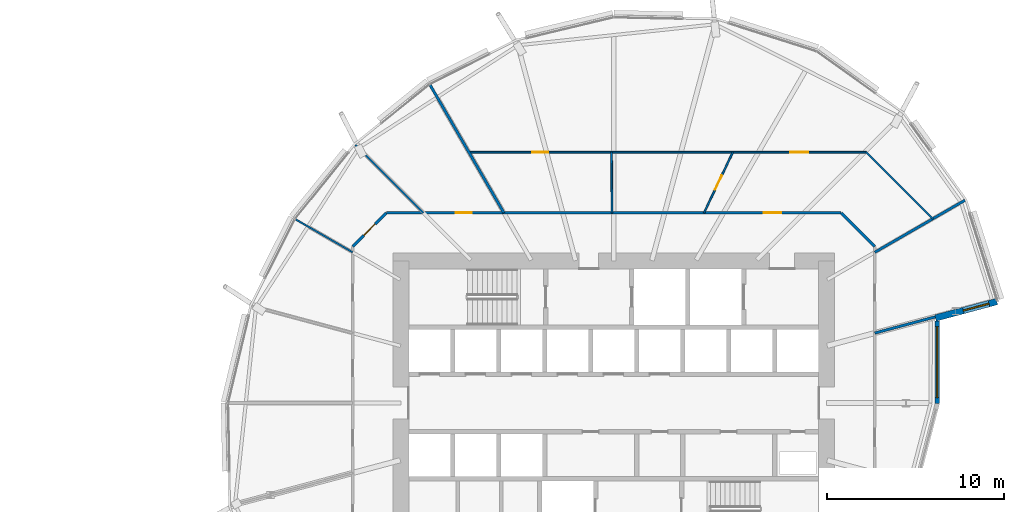
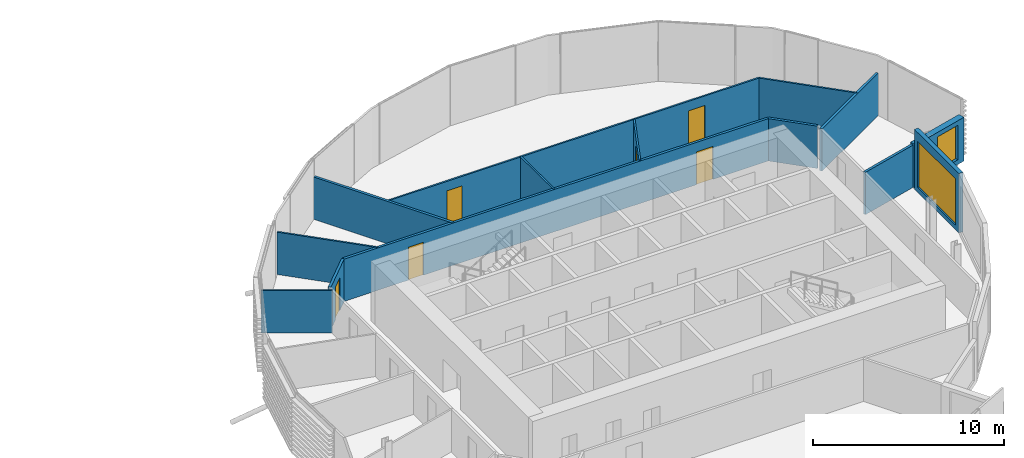
# One storey, part 26 of 38: 14 walls, 6 doors, 2 windows, 8 openings.
"""IFC4 building model written with IfcOpenShell, lengths in metres."""

from ifc_helpers import new_model, si_unit, direction, frame, frame_2d, origin, place, context, subcontext, project, spatial, rectangle, extrude, material, layer, layer_set, type_object, element, fill, save


model = new_model("IFC4")

# Units and contexts
model_context = context("Model", 3, precision=1e-05, world=origin(), true_north=direction((0.0, 1.0)))
body_context = subcontext(model_context, "Body", "Model", "MODEL_VIEW")
ifc_project = project(units=[si_unit("LENGTHUNIT", "METRE"), si_unit("AREAUNIT", "SQUARE_METRE"), si_unit("VOLUMEUNIT", "CUBIC_METRE"), si_unit("PLANEANGLEUNIT", "RADIAN"), si_unit("MASSUNIT", "GRAM", prefix="KILO")], contexts=[model_context])

# Site, building, storey
site_placement = place(None, origin())
site = spatial("IfcSite", under=ifc_project, at=site_placement, CompositionType="ELEMENT")
building_placement = place(site_placement, origin())
building = spatial("IfcBuilding", under=site, at=building_placement, Name="Rimbun Link Towers", CompositionType="ELEMENT")
storey_placement = place(building_placement, frame((0.0, 0.0, 56.60009765625)))
storey = spatial("IfcBuildingStorey", under=building, at=storey_placement, Name="L13", CompositionType="ELEMENT", Elevation=56.60009765625)

# Wall, opening, window
ifc_material_1 = material(Name="Dark enamelled glass spandrel on insulated aluminium backpan", Category="aluminium")
ifc_layer_1 = layer(ifc_material_1, 0.25)
ifc_layer_set_1 = layer_set([ifc_layer_1], Name="CS dark enamelled spandrel wall 250")
wall_type_1 = type_object("IfcWallType", Name="CS dark enamelled spandrel wall 250", PredefinedType="STANDARD", material=ifc_layer_set_1)
wall_1_placement = place(storey_placement, frame((50.005859375, 4.6328125, 0.0), z_axis=(0.0, 0.0, 1.0), x_axis=(-0.000105030984, -0.999999994484, 0.0)))
wall_1 = element("IfcWall", 1, at=wall_1_placement, inside=storey, type_object=wall_type_1, Name="Crease spandrel wall", PredefinedType="STANDARD", context=body_context, shape_type="SweptSolid", body=[
    extrude(rectangle(XDim=4.64892578125, YDim=0.25, at=frame_2d((2.324462890625, 0.0))), origin(), (0.0, 0.0, 1.0), 3.7998046875),
])
opening_1_placement = place(wall_1_placement, frame((0.324462890625, 0.0, 0.300048828125)))
opening_1 = element("IfcOpeningElement", 2, at=opening_1_placement, cuts=wall_1, Name="Opening WR40H295", PredefinedType="OPENING", context=body_context, shape_type="SweptSolid", body=[
    extrude(rectangle(XDim=4.0, YDim=2.949951171875, at=frame_2d((2.0, 1.47509765625))), frame((0.0, 0.135009765625, 0.0), z_axis=(0.0, -1.0, 0.0), x_axis=(1.0, 0.0, 0.0)), (0.0, 0.0, 1.0), 0.27001953125),
])
ifc_material_2 = material(Name="Aluminium framed fixed window, dark tinted low-e glass", Category="aluminium")
window_type_1 = type_object("IfcWindowType", Name="WR ribbon window 4000X2950", PartitioningType="SINGLE_PANEL", PredefinedType="WINDOW", material=ifc_material_2)
window_1_placement = place(opening_1_placement, origin())
window_1 = element("IfcWindow", 3, at=window_1_placement, inside=storey, type_object=window_type_1, Name="Crease ribbon window", OverallHeight=2.949951171875, OverallWidth=4.0, PartitioningType="SINGLE_PANEL", PredefinedType="WINDOW", context=body_context, shape_type="SweptSolid", body=[
    extrude(rectangle(XDim=4.0, YDim=2.949951171875, at=frame_2d((2.0, 1.47509765625))), frame((0.0, 0.030029296875, 0.0), z_axis=(0.0, -1.0, 0.0), x_axis=(1.0, 0.0, 0.0)), (0.0, 0.0, 1.0), 0.06005859375),
])
fill(opening_1, window_1)

ifc_material_3 = material(Name="Dark enamelled glass spandrel on insulated aluminium backpan", Category="aluminium")
ifc_layer_2 = layer(ifc_material_3, 0.3701171875)
ifc_layer_set_2 = layer_set([ifc_layer_2], Name="CS dark enamelled spandrel wall 370")
wall_type_2 = type_object("IfcWallType", Name="CS dark enamelled spandrel wall 370", PredefinedType="STANDARD", material=ifc_layer_set_2)
wall_2_placement = place(storey_placement, frame((53.355712890625, 5.721923828125, 0.0), z_axis=(0.0, 0.0, 1.0), x_axis=(-0.965929787715, -0.258804260405, 0.0)))
wall_2 = element("IfcWall", 4, at=wall_2_placement, inside=storey, type_object=wall_type_2, Name="Crease spandrel wall", PredefinedType="STANDARD", context=body_context, shape_type="SweptSolid", body=[
    extrude(rectangle(XDim=3.580078125, YDim=0.3701171875, at=frame_2d((1.7900390625, 0.0))), origin(), (0.0, 0.0, 1.0), 2.789306640625),
])
opening_2_placement = place(wall_2_placement, frame((0.45654296875, 0.0, 0.300048828125)))
opening_2 = element("IfcOpeningElement", 5, at=opening_2_placement, cuts=wall_2, Name="Opening WR15H220", PredefinedType="OPENING", context=body_context, shape_type="SweptSolid", body=[
    extrude(rectangle(XDim=1.5, YDim=2.199951171875, at=frame_2d((0.75, 1.10009765625))), frame((0.0, 0.195068359375, 0.0), z_axis=(0.0, -1.0, 0.0), x_axis=(1.0, 0.0, 0.0)), (0.0, 0.0, 1.0), 0.39013671875),
])
ifc_material_4 = material(Name="Aluminium framed fixed window, dark tinted low-e glass", Category="aluminium")
window_type_2 = type_object("IfcWindowType", Name="WR ribbon window 1500X2200", PartitioningType="SINGLE_PANEL", PredefinedType="WINDOW", material=ifc_material_4)
window_2_placement = place(opening_2_placement, origin())
window_2 = element("IfcWindow", 6, at=window_2_placement, inside=storey, type_object=window_type_2, Name="Crease ribbon window", OverallHeight=2.199951171875, OverallWidth=1.5, PartitioningType="SINGLE_PANEL", PredefinedType="WINDOW", context=body_context, shape_type="SweptSolid", body=[
    extrude(rectangle(XDim=1.5, YDim=2.199951171875, at=frame_2d((0.75, 1.10009765625))), frame((0.0, 0.030029296875, 0.0), z_axis=(0.0, -1.0, 0.0), x_axis=(1.0, 0.0, 0.0)), (0.0, 0.0, 1.0), 0.06005859375),
])
fill(opening_2, window_2)

# Wall
ifc_material_5 = material(Name="Plasterboard on steel stud, mineral wool", Category="steel")
ifc_layer_3 = layer(ifc_material_5, 0.14990234375)
ifc_layer_set_3 = layer_set([ifc_layer_3], Name="Corridor wall EI 30 150 mm")
wall_type_3 = type_object("IfcWallType", Name="Corridor wall EI 30 150 mm", PredefinedType="PARTITIONING", material=ifc_layer_set_3)
wall_3_placement = place(storey_placement, frame((46.47509765625, 8.82666015625, 0.0), z_axis=(0.0, 0.0, 1.0), x_axis=(-0.707106781187, 0.707106781187, 0.0)))
element("IfcWall", 7, at=wall_3_placement, inside=storey, type_object=wall_type_3, Name="Corridor wall EI 30 150 mm", PredefinedType="PARTITIONING", context=body_context, shape_type="SweptSolid", body=[
    extrude(rectangle(XDim=2.684814453125, YDim=0.14990234375, at=frame_2d((1.34228515625, 0.0))), origin(), (0.0, 0.0, 1.0), 2.701904296875),
])

# Wall, opening, door
wall_4_placement = place(storey_placement, frame((17.02490234375, 8.82666015625, 0.0), z_axis=(0.0, 0.0, 1.0), x_axis=(0.707106781187, 0.707106781187, 0.0)))
wall_4 = element("IfcWall", 8, at=wall_4_placement, inside=storey, type_object=wall_type_3, Name="Corridor wall EI 30 150 mm", PredefinedType="PARTITIONING", context=body_context, shape_type="SweptSolid", body=[
    extrude(rectangle(XDim=2.684814453125, YDim=0.14990234375, at=frame_2d((1.34228515625, 0.0))), origin(), (0.0, 0.0, 1.0), 2.701904296875),
])
opening_3_placement = place(wall_4_placement, frame((0.892333984375, 0.0, 0.0)))
opening_3 = element("IfcOpeningElement", 9, at=opening_3_placement, cuts=wall_4, Name="Opening D02", PredefinedType="OPENING", context=body_context, shape_type="SweptSolid", body=[
    extrude(rectangle(XDim=0.89990234375, YDim=2.10009765625, at=frame_2d((0.449951171875, 1.050048828125))), frame((0.0, 0.0849609375, 0.0), z_axis=(0.0, -1.0, 0.0), x_axis=(1.0, 0.0, 0.0)), (0.0, 0.0, 1.0), 0.169921875),
])
ifc_material_6 = material(Name="Fire-resisting timber door leaf", Category="wood")
door_type_1 = type_object("IfcDoorType", Name="Fire door FD30S 900", OperationType="NOTDEFINED", PredefinedType="DOOR", material=ifc_material_6)
door_1_placement = place(opening_3_placement, origin())
door_1 = element("IfcDoor", 10, at=door_1_placement, inside=storey, type_object=door_type_1, Name="Fire door FD30S 900 to Cellular office", OperationType="SINGLE_SWING_RIGHT", OverallHeight=2.10009765625, OverallWidth=0.89990234375, PredefinedType="DOOR", context=body_context, shape_type="SweptSolid", body=[
    extrude(rectangle(XDim=0.89990234375, YDim=2.10009765625, at=frame_2d((0.449951171875, 1.050048828125))), frame((0.0, 0.02490234375, 0.0), z_axis=(0.0, -1.0, 0.0), x_axis=(1.0, 0.0, 0.0)), (0.0, 0.0, 1.0), 0.050048828125),
])
fill(opening_3, door_1)

# Wall, openings, doors
wall_5_placement = place(storey_placement, frame((18.92333984375, 10.72509765625, 0.0), z_axis=(0.0, 0.0, 1.0), x_axis=(1.0, 0.0, 0.0)))
wall_5 = element("IfcWall", 11, at=wall_5_placement, inside=storey, type_object=wall_type_3, Name="Corridor wall EI 30 150 mm", PredefinedType="PARTITIONING", context=body_context, shape_type="SweptSolid", body=[
    extrude(rectangle(XDim=25.6533203125, YDim=0.14990234375, at=frame_2d((12.82666015625, 0.0))), origin(), (0.0, 0.0, 1.0), 2.701904296875),
])
opening_4_placement = place(wall_5_placement, frame((21.28662109375, 0.0, 0.0)))
opening_4 = element("IfcOpeningElement", 12, at=opening_4_placement, cuts=wall_5, Name="Opening D01", PredefinedType="OPENING", context=body_context, shape_type="SweptSolid", body=[
    extrude(rectangle(XDim=1.0, YDim=2.10009765625, at=frame_2d((0.5, 1.050048828125))), frame((0.0, 0.0849609375, 0.0), z_axis=(0.0, -1.0, 0.0), x_axis=(1.0, 0.0, 0.0)), (0.0, 0.0, 1.0), 0.169921875),
])
opening_5_placement = place(wall_5_placement, frame((3.918212890625, 0.0, 0.0)))
opening_5 = element("IfcOpeningElement", 13, at=opening_5_placement, cuts=wall_5, Name="Opening D02", PredefinedType="OPENING", context=body_context, shape_type="SweptSolid", body=[
    extrude(rectangle(XDim=0.89990234375, YDim=2.10009765625, at=frame_2d((0.449951171875, 1.050048828125))), frame((0.0, 0.0849609375, 0.0), z_axis=(0.0, -1.0, 0.0), x_axis=(1.0, 0.0, 0.0)), (0.0, 0.0, 1.0), 0.169921875),
])
ifc_material_7 = material(Name="Fire-resisting timber door leaf", Category="wood")
door_type_2 = type_object("IfcDoorType", Name="Fire door FD30S 1000", OperationType="NOTDEFINED", PredefinedType="DOOR", material=ifc_material_7)
door_2_placement = place(opening_4_placement, origin())
door_2 = element("IfcDoor", 14, at=door_2_placement, inside=storey, type_object=door_type_2, Name="Fire door FD30S 1000 to Reception", OperationType="SINGLE_SWING_RIGHT", OverallHeight=2.10009765625, OverallWidth=1.0, PredefinedType="DOOR", context=body_context, shape_type="SweptSolid", body=[
    extrude(rectangle(XDim=1.0, YDim=2.10009765625, at=frame_2d((0.5, 1.050048828125))), frame((0.0, 0.02490234375, 0.0), z_axis=(0.0, -1.0, 0.0), x_axis=(1.0, 0.0, 0.0)), (0.0, 0.0, 1.0), 0.050048828125),
])
fill(opening_4, door_2)
door_3_placement = place(opening_5_placement, origin())
door_3 = element("IfcDoor", 15, at=door_3_placement, inside=storey, type_object=door_type_1, Name="Fire door FD30S 900 to Cellular office", OperationType="SINGLE_SWING_LEFT", OverallHeight=2.10009765625, OverallWidth=0.89990234375, PredefinedType="DOOR", context=body_context, shape_type="SweptSolid", body=[
    extrude(rectangle(XDim=0.89990234375, YDim=2.10009765625, at=frame_2d((0.449951171875, 1.050048828125))), frame((0.0, 0.02490234375, 0.0), z_axis=(0.0, -1.0, 0.0), x_axis=(1.0, 0.0, 0.0)), (0.0, 0.0, 1.0), 0.050048828125),
])
fill(opening_5, door_3)

# Wall, opening, door
ifc_material_8 = material(Name="Plasterboard on steel stud", Category="steel")
ifc_layer_4 = layer(ifc_material_8, 0.10009765625)
ifc_layer_set_4 = layer_set([ifc_layer_4], Name="Plasterboard partition 100 mm")
wall_type_4 = type_object("IfcWallType", Name="Plasterboard partition 100 mm", PredefinedType="PARTITIONING", material=ifc_layer_set_4)
wall_6_placement = place(storey_placement, frame((36.843017578125, 10.72509765625, 0.0), z_axis=(0.0, 0.0, 1.0), x_axis=(0.429014723315, 0.903297496498, 0.0)))
wall_6 = element("IfcWall", 16, at=wall_6_placement, inside=storey, type_object=wall_type_4, Name="Plasterboard partition 100 mm", PredefinedType="PARTITIONING", context=body_context, shape_type="SweptSolid", body=[
    extrude(rectangle(XDim=3.7861328125, YDim=0.10009765625, at=frame_2d((1.89306640625, 0.0))), origin(), (0.0, 0.0, 1.0), 2.701904296875),
])
opening_6_placement = place(wall_6_placement, frame((1.443115234375, 0.0, 0.0)))
opening_6 = element("IfcOpeningElement", 17, at=opening_6_placement, cuts=wall_6, Name="Opening D04", PredefinedType="OPENING", context=body_context, shape_type="SweptSolid", body=[
    extrude(rectangle(XDim=0.89990234375, YDim=2.10009765625, at=frame_2d((0.449951171875, 1.050048828125))), frame((0.0, 0.06005859375, 0.0), z_axis=(0.0, -1.0, 0.0), x_axis=(1.0, 0.0, 0.0)), (0.0, 0.0, 1.0), 0.1201171875),
])
ifc_material_9 = material(Name="Timber door leaf", Category="wood")
door_type_3 = type_object("IfcDoorType", Name="Flush door 900", OperationType="NOTDEFINED", PredefinedType="DOOR", material=ifc_material_9)
door_4_placement = place(opening_6_placement, origin())
door_4 = element("IfcDoor", 18, at=door_4_placement, inside=storey, type_object=door_type_3, Name="Flush door 900 to Meeting room", OperationType="SINGLE_SWING_RIGHT", OverallHeight=2.10009765625, OverallWidth=0.89990234375, PredefinedType="DOOR", context=body_context, shape_type="SweptSolid", body=[
    extrude(rectangle(XDim=0.89990234375, YDim=2.10009765625, at=frame_2d((0.449951171875, 1.050048828125))), frame((0.0, 0.02490234375, 0.0), z_axis=(0.0, -1.0, 0.0), x_axis=(1.0, 0.0, 0.0)), (0.0, 0.0, 1.0), 0.050048828125),
])
fill(opening_6, door_4)

# Wall, openings, doors
wall_7_placement = place(storey_placement, frame((23.58349609375, 14.14501953125, 0.0), z_axis=(0.0, 0.0, 1.0), x_axis=(1.0, 0.0, 0.0)))
wall_7 = element("IfcWall", 19, at=wall_7_placement, inside=storey, type_object=wall_type_4, Name="Plasterboard partition 100 mm", PredefinedType="PARTITIONING", context=body_context, shape_type="SweptSolid", body=[
    extrude(rectangle(XDim=22.409912109375, YDim=0.10009765625, at=frame_2d((11.205078125, 0.0))), origin(), (0.0, 0.0, 1.0), 2.701904296875),
])
opening_7_placement = place(wall_7_placement, frame((18.130126953125, 0.0, 0.0)))
opening_7 = element("IfcOpeningElement", 20, at=opening_7_placement, cuts=wall_7, Name="Opening D03", PredefinedType="OPENING", context=body_context, shape_type="SweptSolid", body=[
    extrude(rectangle(XDim=1.0, YDim=2.10009765625, at=frame_2d((0.5, 1.050048828125))), frame((0.0, 0.06005859375, 0.0), z_axis=(0.0, -1.0, 0.0), x_axis=(1.0, 0.0, 0.0)), (0.0, 0.0, 1.0), 0.1201171875),
])
opening_8_placement = place(wall_7_placement, frame((3.572021484375, 0.0, 0.0)))
opening_8 = element("IfcOpeningElement", 21, at=opening_8_placement, cuts=wall_7, Name="Opening D04", PredefinedType="OPENING", context=body_context, shape_type="SweptSolid", body=[
    extrude(rectangle(XDim=0.89990234375, YDim=2.10009765625, at=frame_2d((0.449951171875, 1.050048828125))), frame((0.0, 0.06005859375, 0.0), z_axis=(0.0, -1.0, 0.0), x_axis=(1.0, 0.0, 0.0)), (0.0, 0.0, 1.0), 0.1201171875),
])
ifc_material_10 = material(Name="Timber door leaf", Category="wood")
door_type_4 = type_object("IfcDoorType", Name="Flush door 1000", OperationType="NOTDEFINED", PredefinedType="DOOR", material=ifc_material_10)
door_5_placement = place(opening_7_placement, origin())
door_5 = element("IfcDoor", 22, at=door_5_placement, inside=storey, type_object=door_type_4, Name="Flush door 1000 to Open office", OperationType="SINGLE_SWING_LEFT", OverallHeight=2.10009765625, OverallWidth=1.0, PredefinedType="DOOR", context=body_context, shape_type="SweptSolid", body=[
    extrude(rectangle(XDim=1.0, YDim=2.10009765625, at=frame_2d((0.5, 1.050048828125))), frame((0.0, 0.02490234375, 0.0), z_axis=(0.0, -1.0, 0.0), x_axis=(1.0, 0.0, 0.0)), (0.0, 0.0, 1.0), 0.050048828125),
])
fill(opening_7, door_5)
door_6_placement = place(opening_8_placement, origin())
door_6 = element("IfcDoor", 23, at=door_6_placement, inside=storey, type_object=door_type_3, Name="Flush door 900 to Print room", OperationType="SINGLE_SWING_LEFT", OverallHeight=2.10009765625, OverallWidth=0.89990234375, PredefinedType="DOOR", context=body_context, shape_type="SweptSolid", body=[
    extrude(rectangle(XDim=0.89990234375, YDim=2.10009765625, at=frame_2d((0.449951171875, 1.050048828125))), frame((0.0, 0.02490234375, 0.0), z_axis=(0.0, -1.0, 0.0), x_axis=(1.0, 0.0, 0.0)), (0.0, 0.0, 1.0), 0.050048828125),
])
fill(opening_8, door_6)

# Walls
wall_8_placement = place(storey_placement, frame((49.747314453125, 10.390869140625, 0.0), z_axis=(0.0, 0.0, 1.0), x_axis=(-0.707083787713, 0.707129773912, 0.0)))
element("IfcWall", 24, at=wall_8_placement, inside=storey, type_object=wall_type_4, Name="Plasterboard partition 100 mm", PredefinedType="PARTITIONING", context=body_context, shape_type="SweptSolid", body=[
    extrude(rectangle(XDim=5.30908203125, YDim=0.10009765625, at=frame_2d((2.654541015625, 0.0))), origin(), (0.0, 0.0, 1.0), 2.701904296875),
])
wall_9_placement = place(storey_placement, frame((31.62744140625, 14.14501953125, 0.0), z_axis=(0.0, 0.0, 1.0), x_axis=(0.008637598952, -0.999962695246, 0.0)))
element("IfcWall", 25, at=wall_9_placement, inside=storey, type_object=wall_type_4, Name="Plasterboard partition 100 mm", PredefinedType="PARTITIONING", context=body_context, shape_type="SweptSolid", body=[
    extrude(rectangle(XDim=3.420166015625, YDim=0.10009765625, at=frame_2d((1.7099609375, 0.0))), origin(), (0.0, 0.0, 1.0), 2.701904296875),
])
wall_10_placement = place(storey_placement, frame((17.184326171875, 14.565673828125, 0.0), z_axis=(0.0, 0.0, 1.0), x_axis=(0.707106781187, -0.707106781187, 0.0)))
element("IfcWall", 26, at=wall_10_placement, inside=storey, type_object=wall_type_4, Name="Plasterboard partition 100 mm", PredefinedType="PARTITIONING", context=body_context, shape_type="SweptSolid", body=[
    extrude(rectangle(XDim=5.431396484375, YDim=0.10009765625, at=frame_2d((2.7158203125, 0.0))), origin(), (0.0, 0.0, 1.0), 2.701904296875),
])
wall_11_placement = place(storey_placement, frame((13.788330078125, 10.3701171875, 0.0), z_axis=(0.0, 0.0, 1.0), x_axis=(0.866023494941, -0.500003306199, 0.0)))
element("IfcWall", 27, at=wall_11_placement, inside=storey, type_object=wall_type_4, Name="Plasterboard partition 100 mm", PredefinedType="PARTITIONING", context=body_context, shape_type="SweptSolid", body=[
    extrude(rectangle(XDim=3.7373046875, YDim=0.10009765625, at=frame_2d((1.86865234375, 0.0))), origin(), (0.0, 0.0, 1.0), 2.701904296875),
])
ifc_material_11 = material(Name="Plasterboard on steel stud, mineral wool", Category="steel")
ifc_layer_5 = layer(ifc_material_11, 0.14990234375)
ifc_layer_set_5 = layer_set([ifc_layer_5], Name="Tenancy separation wall EI 60 150 mm")
wall_type_5 = type_object("IfcWallType", Name="Tenancy separation wall EI 60 150 mm", PredefinedType="PARTITIONING", material=ifc_layer_set_5)
wall_12_placement = place(storey_placement, frame((25.557861328125, 10.72509765625, 0.0), z_axis=(0.0, 0.0, 1.0), x_axis=(-0.499994755589, 0.866028431625, 0.0)))
element("IfcWall", 28, at=wall_12_placement, inside=storey, type_object=wall_type_5, Name="Tenancy separation wall EI 60 150 mm", PredefinedType="PARTITIONING", context=body_context, shape_type="SweptSolid", body=[
    extrude(rectangle(XDim=8.35595703125, YDim=0.14990234375, at=frame_2d((4.177978515625, 0.0))), origin(), (0.0, 0.0, 1.0), 2.701904296875),
])
wall_13_placement = place(storey_placement, frame((46.47509765625, 3.945556640625, 0.0), z_axis=(0.0, 0.0, 1.0), x_axis=(0.965923943481, 0.258826071737, 0.0)))
element("IfcWall", 29, at=wall_13_placement, inside=storey, type_object=wall_type_5, Name="Tenancy separation wall EI 60 150 mm", PredefinedType="PARTITIONING", context=body_context, shape_type="SweptSolid", body=[
    extrude(rectangle(XDim=3.52587890625, YDim=0.14990234375, at=frame_2d((1.762939453125, 0.0))), origin(), (0.0, 0.0, 1.0), 2.701904296875),
])
wall_14_placement = place(storey_placement, frame((46.47509765625, 8.50146484375, 0.0), z_axis=(0.0, 0.0, 1.0), x_axis=(0.866019468283, 0.500010280449, 0.0)))
element("IfcWall", 30, at=wall_14_placement, inside=storey, type_object=wall_type_5, Name="Tenancy separation wall EI 60 150 mm", PredefinedType="PARTITIONING", context=body_context, shape_type="SweptSolid", body=[
    extrude(rectangle(XDim=5.8740234375, YDim=0.14990234375, at=frame_2d((2.93701171875, 0.0))), origin(), (0.0, 0.0, 1.0), 2.701904296875),
])

save(model, "model.ifc")
